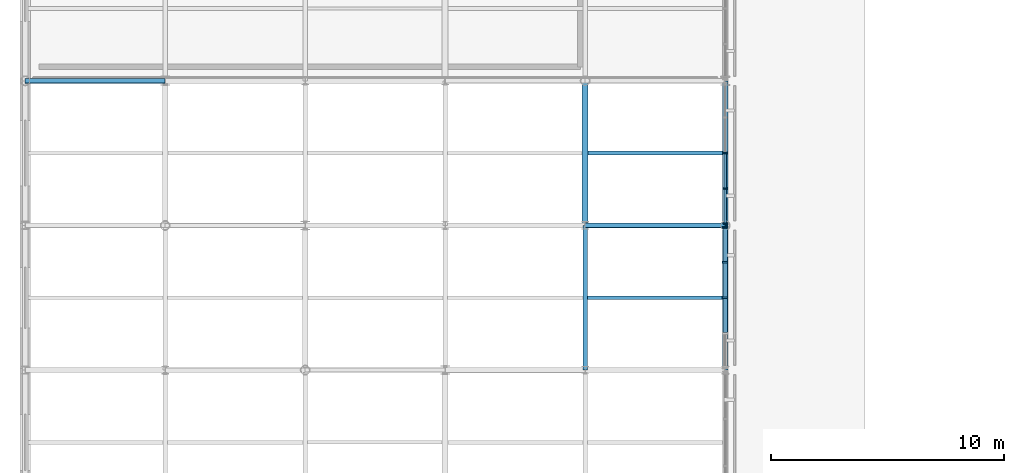
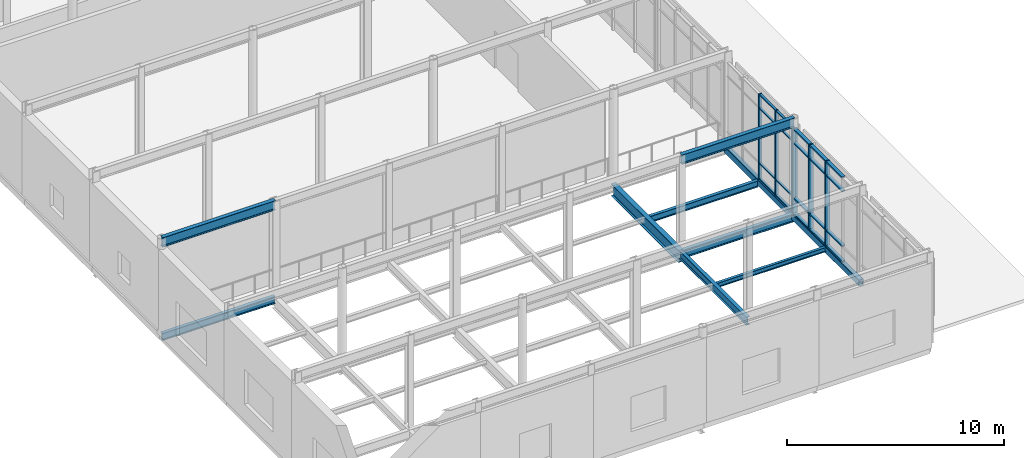
# One storey, part 20 of 105: 26 members, 10 beams, 2 elements without a shape of their own.
"""IFC4 building model written with IfcOpenShell, lengths in metres."""

from ifc_helpers import new_model, si_unit, direction, frame, origin, origin_2d, place, context, subcontext, project, spatial, rectangle, hollow_rectangle, i_section, extrude, material, layer, layer_set, material_profile, profile_set, type_object, element, aggregate, save


model = new_model("IFC4")

# Units and contexts
model_context = context("Model", 3, precision=1e-05, world=origin(), true_north=direction((0.0, 1.0)))
body_context = subcontext(model_context, "Body", "Model", "MODEL_VIEW")
ifc_project = project(units=[si_unit("LENGTHUNIT", "METRE"), si_unit("AREAUNIT", "SQUARE_METRE"), si_unit("VOLUMEUNIT", "CUBIC_METRE"), si_unit("PLANEANGLEUNIT", "RADIAN"), si_unit("MASSUNIT", "GRAM", prefix="KILO")], contexts=[model_context])

# Site, building, storey
site_placement = place(None, origin())
site = spatial("IfcSite", under=ifc_project, at=site_placement, CompositionType="ELEMENT")
building_placement = place(site_placement, origin())
building = spatial("IfcBuilding", under=site, at=building_placement, Name="Mirzam Square Science Centre", CompositionType="ELEMENT")
storey_placement = place(building_placement, frame((0.0, 0.0, 5.39990234375)))
storey = spatial("IfcBuildingStorey", under=building, at=storey_placement, Name="L01", CompositionType="ELEMENT", Elevation=5.39990234375)

# Beams
ifc_material_1 = material(Name="Steel S355", Category="steel")
ifc_material_profile_1 = material_profile(ifc_material_1, i_section(OverallWidth=0.1787109375, OverallDepth=0.409423828125, WebThickness=0.0087890625, FlangeThickness=0.014404296875, FilletRadius=0.01025390625, at=origin_2d()), Name="406x178x67UB")
ifc_profile_set_1 = profile_set([ifc_material_profile_1], Name="Steel S355")
beam_type_1 = type_object("IfcBeamType", Name="BM-UB406", PredefinedType="BEAM", material=ifc_profile_set_1)
beam_1_placement = place(storey_placement, frame((0.0, 18.60009765625, -0.464599609375), z_axis=(1.0, 0.0, 0.0), x_axis=(0.0, 1.0, 0.0)))
element("IfcBeam", 1, at=beam_1_placement, inside=storey, type_object=beam_type_1, Name="L01 girder X1-4", PredefinedType="BEAM", context=body_context, shape_type="SweptSolid", body=[
    extrude(i_section(OverallWidth=0.1787109375, OverallDepth=0.409423828125, WebThickness=0.0087890625, FlangeThickness=0.014404296875, FilletRadius=0.01025390625, at=origin_2d()), origin(), (0.0, 0.0, 1.0), 6.0),
])
ifc_material_profile_2 = material_profile(ifc_material_1, i_section(OverallWidth=0.19140625, OverallDepth=0.4599609375, WebThickness=0.010009765625, FlangeThickness=0.01611328125, FilletRadius=0.01025390625, at=origin_2d()), Name="457x191x82UB")
ifc_profile_set_2 = profile_set([ifc_material_profile_2], Name="Steel S355")
beam_type_2 = type_object("IfcBeamType", Name="BM-UB457", PredefinedType="BEAM", material=ifc_profile_set_2)
beam_2_placement = place(storey_placement, frame((24.0, 12.39990234375, -0.47998046875), z_axis=(1.0, 0.0, 0.0), x_axis=(0.0, 1.0, 0.0)))
element("IfcBeam", 2, at=beam_2_placement, inside=storey, type_object=beam_type_2, Name="L01 girder X5-3", PredefinedType="BEAM", context=body_context, shape_type="SweptSolid", body=[
    extrude(i_section(OverallWidth=0.19140625, OverallDepth=0.4599609375, WebThickness=0.010009765625, FlangeThickness=0.01611328125, FilletRadius=0.01025390625, at=origin_2d()), origin(), (0.0, 0.0, 1.0), 6.0),
])
beam_3_placement = place(storey_placement, frame((24.0, 6.199951171875, -0.47998046875), z_axis=(0.0, 1.0, 0.0), x_axis=(-1.0, 0.0, 0.0)))
element("IfcBeam", 3, at=beam_3_placement, inside=storey, type_object=beam_type_2, Name="L01 girder Y5-2", PredefinedType="BEAM", context=body_context, shape_type="SweptSolid", body=[
    extrude(i_section(OverallWidth=0.19140625, OverallDepth=0.4599609375, WebThickness=0.010009765625, FlangeThickness=0.01611328125, FilletRadius=0.01025390625, at=origin_2d()), origin(), (0.0, 0.0, 1.0), 6.199951171875),
])
ifc_material_profile_3 = material_profile(ifc_material_1, i_section(OverallWidth=0.2099609375, OverallDepth=0.53662109375, WebThickness=0.0107421875, FlangeThickness=0.017333984375, FilletRadius=0.0126953125, at=origin_2d()), Name="533x210x101UB")
ifc_profile_set_3 = profile_set([ifc_material_profile_3], Name="Steel S355")
beam_type_3 = type_object("IfcBeamType", Name="BM-UB533", PredefinedType="BEAM", material=ifc_profile_set_3)
for number, where, z_axis, x_axis, name in (
    (4, (24.0, 12.39990234375, 4.86181640625), (1.0, 0.0, 0.0), (0.0, 1.0, 0.0), "SW gallery roof girder 5-3"),
    (5, (0.0, 18.60009765625, 4.86181640625), (1.0, 0.0, 0.0), (0.0, 1.0, 0.0), "SW gallery roof girder 1-4"),
):
    element("IfcBeam", number, at=place(storey_placement, frame(where, z_axis=z_axis, x_axis=x_axis)), inside=storey, type_object=beam_type_3, Name=name, PredefinedType="BEAM", context=body_context, shape_type="SweptSolid", body=[
        extrude(i_section(OverallWidth=0.2099609375, OverallDepth=0.53662109375, WebThickness=0.0107421875, FlangeThickness=0.017333984375, FilletRadius=0.0126953125, at=origin_2d()), origin(), (0.0, 0.0, 1.0), 6.0),
    ])
ifc_material_profile_4 = material_profile(ifc_material_1, i_section(OverallWidth=0.25439453125, OverallDepth=0.6875, WebThickness=0.01318359375, FlangeThickness=0.02099609375, FilletRadius=0.01513671875, at=origin_2d()), Name="686x254x152UB")
ifc_profile_set_4 = profile_set([ifc_material_profile_4], Name="Steel S355")
beam_type_4 = type_object("IfcBeamType", Name="BM-UB686", PredefinedType="BEAM", material=ifc_profile_set_4)
beam_4_placement = place(storey_placement, frame((24.0, 12.39990234375, -0.593505859375), z_axis=(0.0, 1.0, 0.0), x_axis=(-1.0, 0.0, 0.0)))
element("IfcBeam", 6, at=beam_4_placement, inside=storey, type_object=beam_type_4, Name="L01 girder Y5-3", PredefinedType="BEAM", context=body_context, shape_type="SweptSolid", body=[
    extrude(i_section(OverallWidth=0.25439453125, OverallDepth=0.6875, WebThickness=0.01318359375, FlangeThickness=0.02099609375, FilletRadius=0.01513671875, at=origin_2d()), origin(), (0.0, 0.0, 1.0), 6.2001953125),
])

# Curtain wall, members
ifc_material_2 = material(Name="Anodised Aluminium and Low-E Solar Glass", Category="aluminium")
ifc_layer_1 = layer(ifc_material_2, 0.159912109375)
ifc_layer_set_1 = layer_set([ifc_layer_1], Name="CW-COURT-B")
curtain_wall_type_1 = type_object("IfcCurtainWallType", Name="CW-COURT-B", PredefinedType="USERDEFINED", material=ifc_layer_set_1)
curtain_wall_1_placement = place(storey_placement, origin())
curtain_wall_1 = element("IfcCurtainWall", 7, at=curtain_wall_1_placement, inside=storey, type_object=curtain_wall_type_1, Name="L01 unitised curtain wall 42", ObjectType="UNITISED CURTAIN WALL", PredefinedType="USERDEFINED")
ifc_material_3 = material(Name="Anodised Architectural Aluminium 6063-T6", Category="aluminium")
ifc_material_profile_5 = material_profile(ifc_material_3, rectangle(XDim=0.06005859375, YDim=0.159912109375, at=origin_2d()), Name="ALU-MULL-160x60x4")
ifc_profile_set_5 = profile_set([ifc_material_profile_5], Name="Anodised Architectural Aluminium 6063-T6")
member_type_1 = type_object("IfcMemberType", Name="CWM-160", PredefinedType="MULLION", material=ifc_profile_set_5)
member_1_placement = place(storey_placement, frame((30.0, 12.485107421875, -0.25), z_axis=(0.0, 0.0, 1.0), x_axis=(0.0, 1.0, 0.0)))
member_1 = element("IfcMember", 8, at=member_1_placement, type_object=member_type_1, Name="CW-04 mullion 1", PredefinedType="MULLION", context=body_context, shape_type="SweptSolid", body=[
    extrude(rectangle(XDim=0.06005859375, YDim=0.159912109375, at=origin_2d()), origin(), (0.0, 0.0, 1.0), 4.800048828125),
])
member_2_placement = place(storey_placement, frame((30.0, 13.9775390625, -0.25), z_axis=(0.0, 0.0, 1.0), x_axis=(0.0, 1.0, 0.0)))
member_2 = element("IfcMember", 9, at=member_2_placement, type_object=member_type_1, Name="CW-04 mullion 2", PredefinedType="MULLION", context=body_context, shape_type="SweptSolid", body=[
    extrude(rectangle(XDim=0.06005859375, YDim=0.159912109375, at=origin_2d()), origin(), (0.0, 0.0, 1.0), 4.800048828125),
])
member_3_placement = place(storey_placement, frame((30.0, 15.5, -0.25), z_axis=(0.0, 0.0, 1.0), x_axis=(0.0, 1.0, 0.0)))
member_3 = element("IfcMember", 10, at=member_3_placement, type_object=member_type_1, Name="CW-04 mullion 3", PredefinedType="MULLION", context=body_context, shape_type="SweptSolid", body=[
    extrude(rectangle(XDim=0.06005859375, YDim=0.159912109375, at=origin_2d()), origin(), (0.0, 0.0, 1.0), 4.800048828125),
])

ifc_layer_2 = layer(ifc_material_2, 0.159912109375)
ifc_layer_set_2 = layer_set([ifc_layer_2], Name="CW-COURT-A")
curtain_wall_type_2 = type_object("IfcCurtainWallType", Name="CW-COURT-A", PredefinedType="USERDEFINED", material=ifc_layer_set_2)
curtain_wall_2_placement = place(storey_placement, origin())
curtain_wall_2 = element("IfcCurtainWall", 11, at=curtain_wall_2_placement, inside=storey, type_object=curtain_wall_type_2, Name="L01 unitised curtain wall 41", ObjectType="UNITISED CURTAIN WALL", PredefinedType="USERDEFINED")
ifc_material_profile_6 = material_profile(ifc_material_3, rectangle(XDim=0.074951171875, YDim=0.239990234375, at=origin_2d()), Name="ALU-MULL-240x75x5")
ifc_profile_set_6 = profile_set([ifc_material_profile_6], Name="Anodised Architectural Aluminium 6063-T6")
member_type_2 = type_object("IfcMemberType", Name="CWM-240", PredefinedType="MULLION", material=ifc_profile_set_6)
member_4_placement = place(storey_placement, frame((30.0, 9.300048828125, -0.25), z_axis=(0.0, 0.0, 1.0), x_axis=(0.0, 1.0, 0.0)))
member_4 = element("IfcMember", 12, at=member_4_placement, type_object=member_type_2, Name="CW-03 mullion 3", PredefinedType="MULLION", context=body_context, shape_type="SweptSolid", body=[
    extrude(rectangle(XDim=0.074951171875, YDim=0.239990234375, at=origin_2d()), origin(), (0.0, 0.0, 1.0), 4.800048828125),
])
member_5_placement = place(storey_placement, frame((30.0, 10.822509765625, -0.25), z_axis=(0.0, 0.0, 1.0), x_axis=(0.0, 1.0, 0.0)))
member_5 = element("IfcMember", 13, at=member_5_placement, type_object=member_type_2, Name="CW-03 mullion 4", PredefinedType="MULLION", context=body_context, shape_type="SweptSolid", body=[
    extrude(rectangle(XDim=0.074951171875, YDim=0.239990234375, at=origin_2d()), origin(), (0.0, 0.0, 1.0), 4.800048828125),
])
member_6_placement = place(storey_placement, frame((30.0, 12.3076171875, -0.25), z_axis=(0.0, 0.0, 1.0), x_axis=(0.0, 1.0, 0.0)))
member_6 = element("IfcMember", 14, at=member_6_placement, type_object=member_type_2, Name="CW-03 mullion 5", PredefinedType="MULLION", context=body_context, shape_type="SweptSolid", body=[
    extrude(rectangle(XDim=0.074951171875, YDim=0.239990234375, at=origin_2d()), origin(), (0.0, 0.0, 1.0), 4.800048828125),
])

# Member
ifc_material_profile_7 = material_profile(ifc_material_3, rectangle(XDim=0.1201171875, YDim=0.06005859375, at=origin_2d()), Name="ALU-TRAN-120x60x4")
ifc_profile_set_7 = profile_set([ifc_material_profile_7], Name="Anodised Architectural Aluminium 6063-T6")
member_type_3 = type_object("IfcMemberType", Name="CWT-120", PredefinedType="USERDEFINED", material=ifc_profile_set_7)
member_7_placement = place(storey_placement, frame((30.0, 12.514892578125, -0.219970703125), z_axis=(0.0, 1.0, 0.0), x_axis=(-1.0, 0.0, 0.0)))
member_7 = element("IfcMember", 15, at=member_7_placement, type_object=member_type_3, Name="CW-04 transom 1.1", ObjectType="TRANSOM", PredefinedType="USERDEFINED", context=body_context, shape_type="SweptSolid", body=[
    extrude(rectangle(XDim=0.1201171875, YDim=0.06005859375, at=origin_2d()), origin(), (0.0, 0.0, 1.0), 1.4326171875),
])

member_8_placement = place(storey_placement, frame((30.0, 12.514892578125, 0.650146484375), z_axis=(0.0, 1.0, 0.0), x_axis=(-1.0, 0.0, 0.0)))
member_8 = element("IfcMember", 16, at=member_8_placement, type_object=member_type_3, Name="CW-04 transom 1.2", ObjectType="TRANSOM", PredefinedType="USERDEFINED", context=body_context, shape_type="SweptSolid", body=[
    extrude(rectangle(XDim=0.1201171875, YDim=0.06005859375, at=origin_2d()), origin(), (0.0, 0.0, 1.0), 1.4326171875),
])

member_9_placement = place(storey_placement, frame((30.0, 12.514892578125, 3.75), z_axis=(0.0, 1.0, 0.0), x_axis=(-1.0, 0.0, 0.0)))
member_9 = element("IfcMember", 17, at=member_9_placement, type_object=member_type_3, Name="CW-04 transom 1.3", ObjectType="TRANSOM", PredefinedType="USERDEFINED", context=body_context, shape_type="SweptSolid", body=[
    extrude(rectangle(XDim=0.1201171875, YDim=0.06005859375, at=origin_2d()), origin(), (0.0, 0.0, 1.0), 1.4326171875),
])

member_10_placement = place(storey_placement, frame((30.0, 12.514892578125, 4.52001953125), z_axis=(0.0, 1.0, 0.0), x_axis=(-1.0, 0.0, 0.0)))
member_10 = element("IfcMember", 18, at=member_10_placement, type_object=member_type_3, Name="CW-04 transom 1.4", ObjectType="TRANSOM", PredefinedType="USERDEFINED", context=body_context, shape_type="SweptSolid", body=[
    extrude(rectangle(XDim=0.1201171875, YDim=0.06005859375, at=origin_2d()), origin(), (0.0, 0.0, 1.0), 1.4326171875),
])

member_11_placement = place(storey_placement, frame((30.0, 14.007568359375, -0.219970703125), z_axis=(0.0, 1.0, 0.0), x_axis=(-1.0, 0.0, 0.0)))
member_11 = element("IfcMember", 19, at=member_11_placement, type_object=member_type_3, Name="CW-04 transom 2.1", ObjectType="TRANSOM", PredefinedType="USERDEFINED", context=body_context, shape_type="SweptSolid", body=[
    extrude(rectangle(XDim=0.1201171875, YDim=0.06005859375, at=origin_2d()), origin(), (0.0, 0.0, 1.0), 1.46240234375),
])

member_12_placement = place(storey_placement, frame((30.0, 14.007568359375, 0.650146484375), z_axis=(0.0, 1.0, 0.0), x_axis=(-1.0, 0.0, 0.0)))
member_12 = element("IfcMember", 20, at=member_12_placement, type_object=member_type_3, Name="CW-04 transom 2.2", ObjectType="TRANSOM", PredefinedType="USERDEFINED", context=body_context, shape_type="SweptSolid", body=[
    extrude(rectangle(XDim=0.1201171875, YDim=0.06005859375, at=origin_2d()), origin(), (0.0, 0.0, 1.0), 1.46240234375),
])

member_13_placement = place(storey_placement, frame((30.0, 14.007568359375, 3.75), z_axis=(0.0, 1.0, 0.0), x_axis=(-1.0, 0.0, 0.0)))
member_13 = element("IfcMember", 21, at=member_13_placement, type_object=member_type_3, Name="CW-04 transom 2.3", ObjectType="TRANSOM", PredefinedType="USERDEFINED", context=body_context, shape_type="SweptSolid", body=[
    extrude(rectangle(XDim=0.1201171875, YDim=0.06005859375, at=origin_2d()), origin(), (0.0, 0.0, 1.0), 1.46240234375),
])

member_14_placement = place(storey_placement, frame((30.0, 14.007568359375, 4.52001953125), z_axis=(0.0, 1.0, 0.0), x_axis=(-1.0, 0.0, 0.0)))
member_14 = element("IfcMember", 22, at=member_14_placement, type_object=member_type_3, Name="CW-04 transom 2.4", ObjectType="TRANSOM", PredefinedType="USERDEFINED", context=body_context, shape_type="SweptSolid", body=[
    extrude(rectangle(XDim=0.1201171875, YDim=0.06005859375, at=origin_2d()), origin(), (0.0, 0.0, 1.0), 1.46240234375),
])

aggregate(curtain_wall_1, [member_1, member_2, member_3, member_7, member_8, member_9, member_10, member_11, member_12, member_13, member_14])

ifc_material_profile_8 = material_profile(ifc_material_3, rectangle(XDim=0.179931640625, YDim=0.074951171875, at=origin_2d()), Name="ALU-TRAN-180x75x5")
ifc_profile_set_8 = profile_set([ifc_material_profile_8], Name="Anodised Architectural Aluminium 6063-T6")
member_type_4 = type_object("IfcMemberType", Name="CWT-180", PredefinedType="USERDEFINED", material=ifc_profile_set_8)
member_15_placement = place(storey_placement, frame((30.0, 7.81494140625, -0.21240234375), z_axis=(0.0, 1.0, 0.0), x_axis=(-1.0, 0.0, 0.0)))
member_15 = element("IfcMember", 23, at=member_15_placement, type_object=member_type_4, Name="CW-03 transom 2.1", ObjectType="TRANSOM", PredefinedType="USERDEFINED", context=body_context, shape_type="SweptSolid", body=[
    extrude(rectangle(XDim=0.179931640625, YDim=0.074951171875, at=origin_2d()), origin(), (0.0, 0.0, 1.0), 1.447509765625),
])

member_16_placement = place(storey_placement, frame((30.0, 7.81494140625, 0.650146484375), z_axis=(0.0, 1.0, 0.0), x_axis=(-1.0, 0.0, 0.0)))
member_16 = element("IfcMember", 24, at=member_16_placement, type_object=member_type_4, Name="CW-03 transom 2.2", ObjectType="TRANSOM", PredefinedType="USERDEFINED", context=body_context, shape_type="SweptSolid", body=[
    extrude(rectangle(XDim=0.179931640625, YDim=0.074951171875, at=origin_2d()), origin(), (0.0, 0.0, 1.0), 1.447509765625),
])

member_17_placement = place(storey_placement, frame((30.0, 7.81494140625, 3.75), z_axis=(0.0, 1.0, 0.0), x_axis=(-1.0, 0.0, 0.0)))
member_17 = element("IfcMember", 25, at=member_17_placement, type_object=member_type_4, Name="CW-03 transom 2.3", ObjectType="TRANSOM", PredefinedType="USERDEFINED", context=body_context, shape_type="SweptSolid", body=[
    extrude(rectangle(XDim=0.179931640625, YDim=0.074951171875, at=origin_2d()), origin(), (0.0, 0.0, 1.0), 1.447509765625),
])

member_18_placement = place(storey_placement, frame((30.0, 7.81494140625, 4.5126953125), z_axis=(0.0, 1.0, 0.0), x_axis=(-1.0, 0.0, 0.0)))
member_18 = element("IfcMember", 26, at=member_18_placement, type_object=member_type_4, Name="CW-03 transom 2.4", ObjectType="TRANSOM", PredefinedType="USERDEFINED", context=body_context, shape_type="SweptSolid", body=[
    extrude(rectangle(XDim=0.179931640625, YDim=0.074951171875, at=origin_2d()), origin(), (0.0, 0.0, 1.0), 1.447509765625),
])

member_19_placement = place(storey_placement, frame((30.0, 9.33740234375, -0.21240234375), z_axis=(0.0, 1.0, 0.0), x_axis=(-1.0, 0.0, 0.0)))
member_19 = element("IfcMember", 27, at=member_19_placement, type_object=member_type_4, Name="CW-03 transom 3.1", ObjectType="TRANSOM", PredefinedType="USERDEFINED", context=body_context, shape_type="SweptSolid", body=[
    extrude(rectangle(XDim=0.179931640625, YDim=0.074951171875, at=origin_2d()), origin(), (0.0, 0.0, 1.0), 1.447509765625),
])

member_20_placement = place(storey_placement, frame((30.0, 9.33740234375, 0.650146484375), z_axis=(0.0, 1.0, 0.0), x_axis=(-1.0, 0.0, 0.0)))
member_20 = element("IfcMember", 28, at=member_20_placement, type_object=member_type_4, Name="CW-03 transom 3.2", ObjectType="TRANSOM", PredefinedType="USERDEFINED", context=body_context, shape_type="SweptSolid", body=[
    extrude(rectangle(XDim=0.179931640625, YDim=0.074951171875, at=origin_2d()), origin(), (0.0, 0.0, 1.0), 1.447509765625),
])

member_21_placement = place(storey_placement, frame((30.0, 9.33740234375, 3.75), z_axis=(0.0, 1.0, 0.0), x_axis=(-1.0, 0.0, 0.0)))
member_21 = element("IfcMember", 29, at=member_21_placement, type_object=member_type_4, Name="CW-03 transom 3.3", ObjectType="TRANSOM", PredefinedType="USERDEFINED", context=body_context, shape_type="SweptSolid", body=[
    extrude(rectangle(XDim=0.179931640625, YDim=0.074951171875, at=origin_2d()), origin(), (0.0, 0.0, 1.0), 1.447509765625),
])

member_22_placement = place(storey_placement, frame((30.0, 9.33740234375, 4.5126953125), z_axis=(0.0, 1.0, 0.0), x_axis=(-1.0, 0.0, 0.0)))
member_22 = element("IfcMember", 30, at=member_22_placement, type_object=member_type_4, Name="CW-03 transom 3.4", ObjectType="TRANSOM", PredefinedType="USERDEFINED", context=body_context, shape_type="SweptSolid", body=[
    extrude(rectangle(XDim=0.179931640625, YDim=0.074951171875, at=origin_2d()), origin(), (0.0, 0.0, 1.0), 1.447509765625),
])

member_23_placement = place(storey_placement, frame((30.0, 10.860107421875, -0.21240234375), z_axis=(0.0, 1.0, 0.0), x_axis=(-1.0, 0.0, 0.0)))
member_23 = element("IfcMember", 31, at=member_23_placement, type_object=member_type_4, Name="CW-03 transom 4.1", ObjectType="TRANSOM", PredefinedType="USERDEFINED", context=body_context, shape_type="SweptSolid", body=[
    extrude(rectangle(XDim=0.179931640625, YDim=0.074951171875, at=origin_2d()), origin(), (0.0, 0.0, 1.0), 1.409912109375),
])

member_24_placement = place(storey_placement, frame((30.0, 10.860107421875, 0.650146484375), z_axis=(0.0, 1.0, 0.0), x_axis=(-1.0, 0.0, 0.0)))
member_24 = element("IfcMember", 32, at=member_24_placement, type_object=member_type_4, Name="CW-03 transom 4.2", ObjectType="TRANSOM", PredefinedType="USERDEFINED", context=body_context, shape_type="SweptSolid", body=[
    extrude(rectangle(XDim=0.179931640625, YDim=0.074951171875, at=origin_2d()), origin(), (0.0, 0.0, 1.0), 1.409912109375),
])

member_25_placement = place(storey_placement, frame((30.0, 10.860107421875, 3.75), z_axis=(0.0, 1.0, 0.0), x_axis=(-1.0, 0.0, 0.0)))
member_25 = element("IfcMember", 33, at=member_25_placement, type_object=member_type_4, Name="CW-03 transom 4.3", ObjectType="TRANSOM", PredefinedType="USERDEFINED", context=body_context, shape_type="SweptSolid", body=[
    extrude(rectangle(XDim=0.179931640625, YDim=0.074951171875, at=origin_2d()), origin(), (0.0, 0.0, 1.0), 1.409912109375),
])

member_26_placement = place(storey_placement, frame((30.0, 10.860107421875, 4.5126953125), z_axis=(0.0, 1.0, 0.0), x_axis=(-1.0, 0.0, 0.0)))
member_26 = element("IfcMember", 34, at=member_26_placement, type_object=member_type_4, Name="CW-03 transom 4.4", ObjectType="TRANSOM", PredefinedType="USERDEFINED", context=body_context, shape_type="SweptSolid", body=[
    extrude(rectangle(XDim=0.179931640625, YDim=0.074951171875, at=origin_2d()), origin(), (0.0, 0.0, 1.0), 1.409912109375),
])

aggregate(curtain_wall_2, [member_4, member_5, member_6, member_15, member_16, member_17, member_18, member_19, member_20, member_21, member_22, member_23, member_24, member_25, member_26])

# Beams
ifc_material_profile_9 = material_profile(ifc_material_1, i_section(OverallWidth=0.146484375, OverallDepth=0.256103515625, WebThickness=0.00634765625, FlangeThickness=0.010986328125, FilletRadius=0.007568359375, at=origin_2d()), Name="254x146x37UB")
ifc_profile_set_9 = profile_set([ifc_material_profile_9], Name="Steel S355")
beam_type_5 = type_object("IfcBeamType", Name="JS-UB254", PredefinedType="JOIST", material=ifc_profile_set_9)
beam_5_placement = place(storey_placement, frame((24.095703125, 9.300048828125, -0.3779296875), z_axis=(1.0, 0.0, 0.0), x_axis=(0.0, 1.0, 0.0)))
element("IfcBeam", 35, at=beam_5_placement, inside=storey, type_object=beam_type_5, Name="L01 composite joist 5-2", PredefinedType="JOIST", context=body_context, shape_type="SweptSolid", body=[
    extrude(i_section(OverallWidth=0.146484375, OverallDepth=0.256103515625, WebThickness=0.00634765625, FlangeThickness=0.010986328125, FilletRadius=0.007568359375, at=origin_2d()), origin(), (0.0, 0.0, 1.0), 5.779296875),
])
ifc_material_profile_10 = material_profile(ifc_material_1, i_section(OverallWidth=0.172119140625, OverallDepth=0.35791015625, WebThickness=0.008056640625, FlangeThickness=0.012939453125, FilletRadius=0.01025390625, at=origin_2d()), Name="356x171x57UB")
ifc_profile_set_10 = profile_set([ifc_material_profile_10], Name="Steel S355")
beam_type_6 = type_object("IfcBeamType", Name="JS-UB356", PredefinedType="JOIST", material=ifc_profile_set_10)
beam_6_placement = place(storey_placement, frame((24.127197265625, 15.5, -0.428955078125), z_axis=(1.0, 0.0, 0.0), x_axis=(0.0, 1.0, 0.0)))
element("IfcBeam", 36, at=beam_6_placement, inside=storey, type_object=beam_type_6, Name="L01 composite joist 5-3", PredefinedType="JOIST", context=body_context, shape_type="SweptSolid", body=[
    extrude(i_section(OverallWidth=0.172119140625, OverallDepth=0.35791015625, WebThickness=0.008056640625, FlangeThickness=0.012939453125, FilletRadius=0.01025390625, at=origin_2d()), origin(), (0.0, 0.0, 1.0), 5.747802734375),
])
ifc_material_profile_11 = material_profile(ifc_material_1, hollow_rectangle(XDim=0.25, YDim=0.35009765625, WallThickness=0.012451171875, InnerFilletRadius=0.012451171875, OuterFilletRadius=0.02490234375, at=origin_2d()), Name="350x250x12.5RHS")
ifc_profile_set_11 = profile_set([ifc_material_profile_11], Name="Steel S355")
beam_type_7 = type_object("IfcBeamType", Name="SP-RHS350", PredefinedType="SPANDREL", material=ifc_profile_set_11)
beam_7_placement = place(storey_placement, frame((30.0, 6.199951171875, -0.4248046875), z_axis=(0.0, 1.0, 0.0), x_axis=(-1.0, 0.0, 0.0)))
element("IfcBeam", 37, at=beam_7_placement, inside=storey, type_object=beam_type_7, Name="L01 girder Y6-2", PredefinedType="SPANDREL", context=body_context, shape_type="SweptSolid", body=[
    extrude(hollow_rectangle(XDim=0.25, YDim=0.35009765625, WallThickness=0.012451171875, InnerFilletRadius=0.012451171875, OuterFilletRadius=0.02490234375, at=origin_2d()), origin(), (0.0, 0.0, 1.0), 6.199951171875),
])
beam_8_placement = place(storey_placement, frame((30.0, 12.39990234375, -0.4248046875), z_axis=(0.0, 1.0, 0.0), x_axis=(-1.0, 0.0, 0.0)))
element("IfcBeam", 38, at=beam_8_placement, inside=storey, type_object=beam_type_7, Name="L01 girder Y6-3", PredefinedType="SPANDREL", context=body_context, shape_type="SweptSolid", body=[
    extrude(hollow_rectangle(XDim=0.25, YDim=0.35009765625, WallThickness=0.012451171875, InnerFilletRadius=0.012451171875, OuterFilletRadius=0.02490234375, at=origin_2d()), origin(), (0.0, 0.0, 1.0), 6.2001953125),
])

save(model, "model.ifc")
